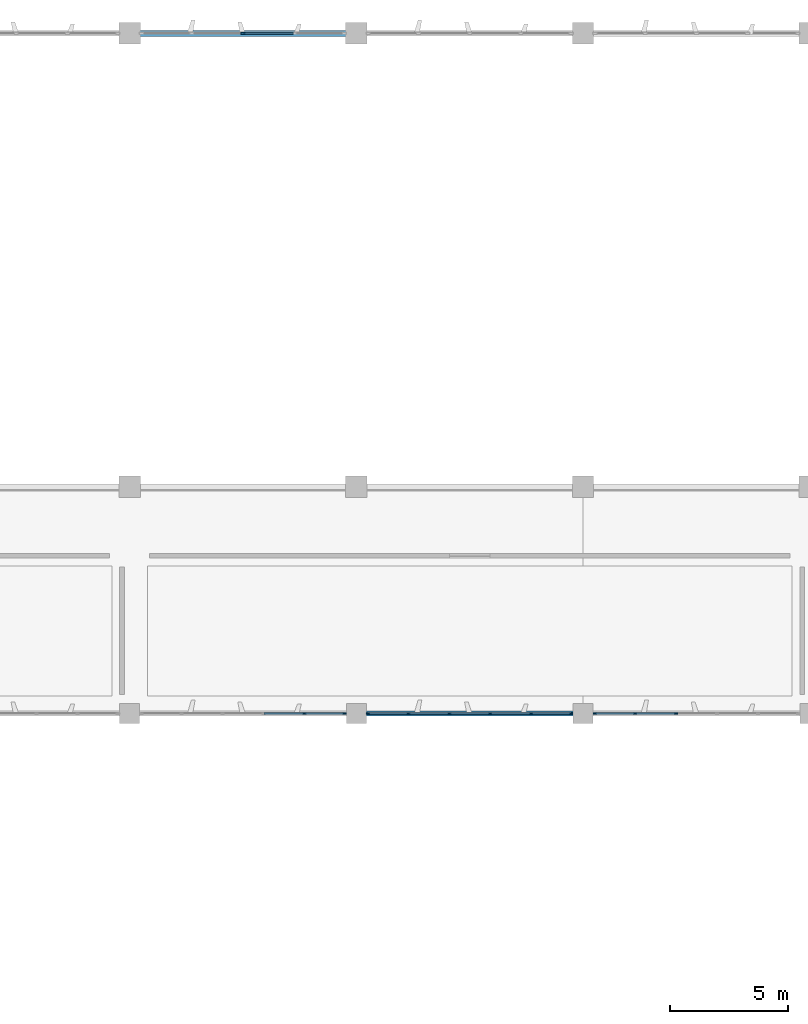
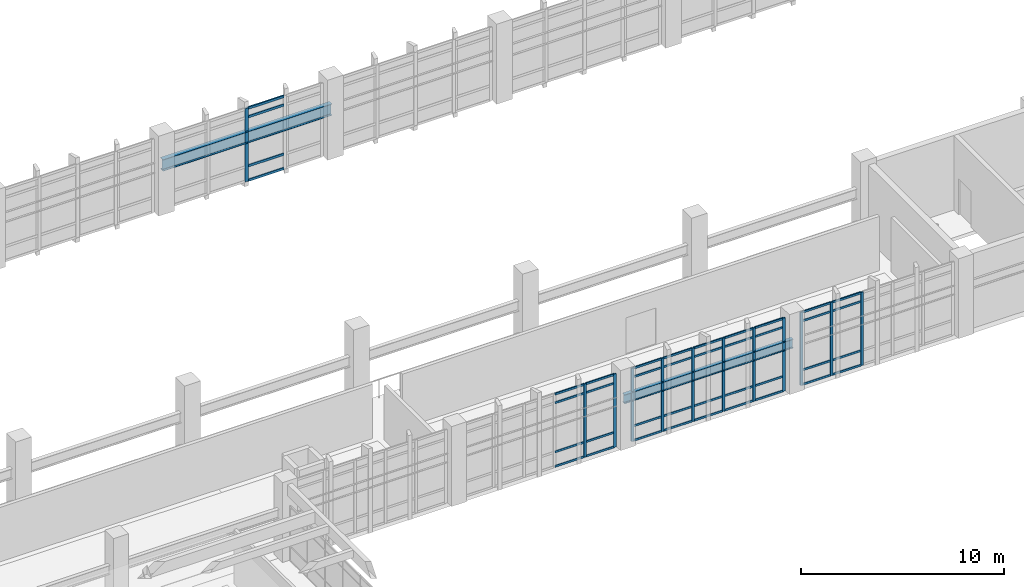
# One storey, part 27 of 86: 52 members, 2 beams, 4 elements without a shape of their own.
"""IFC4 building model written with IfcOpenShell, lengths in metres."""

from ifc_helpers import new_model, si_unit, direction, frame, origin, origin_2d, place, context, subcontext, project, spatial, rectangle, i_section, extrude, material, layer, layer_set, material_profile, profile_set, type_object, element, aggregate, save


model = new_model("IFC4")

# Units and contexts
model_context = context("Model", 3, precision=1e-05, world=origin(), true_north=direction((0.0, 1.0)))
body_context = subcontext(model_context, "Body", "Model", "MODEL_VIEW")
ifc_project = project(units=[si_unit("LENGTHUNIT", "METRE"), si_unit("AREAUNIT", "SQUARE_METRE"), si_unit("VOLUMEUNIT", "CUBIC_METRE"), si_unit("PLANEANGLEUNIT", "RADIAN"), si_unit("MASSUNIT", "GRAM", prefix="KILO")], contexts=[model_context])

# Site, building, storey
site_placement = place(None, origin())
site = spatial("IfcSite", under=ifc_project, at=site_placement, CompositionType="ELEMENT")
building_placement = place(site_placement, origin())
building = spatial("IfcBuilding", under=site, at=building_placement, Name="Kolvemor Railside Polytechnic", CompositionType="ELEMENT")
storey_placement = place(building_placement, frame((0.0, 0.0, 5.39990234375)))
storey = spatial("IfcBuildingStorey", under=building, at=storey_placement, Name="L01", CompositionType="ELEMENT", Elevation=5.39990234375)

# Beams
ifc_material_1 = material(Name="Steel S355", Category="steel")
ifc_material_profile_1 = material_profile(ifc_material_1, i_section(OverallWidth=0.256103515625, OverallDepth=0.693115234375, WebThickness=0.014404296875, FlangeThickness=0.023681640625, FilletRadius=0.01611328125, at=origin_2d()), Name="W690x170")
ifc_profile_set_1 = profile_set([ifc_material_profile_1], Name="Steel S355")
beam_type_1 = type_object("IfcBeamType", Name="BM-ST-CRANE0", PredefinedType="BEAM", material=ifc_profile_set_1)
beam_1_placement = place(storey_placement, frame((57.60009765625, 120.0, 2.691650390625), z_axis=(1.0, 0.0, 0.0), x_axis=(0.0, 1.0, 0.0)))
element("IfcBeam", 1, at=beam_1_placement, inside=storey, type_object=beam_type_1, Name="Crane Runway Girder CRG-N05", PredefinedType="BEAM", context=body_context, shape_type="SweptSolid", body=[
    extrude(i_section(OverallWidth=0.256103515625, OverallDepth=0.693115234375, WebThickness=0.014404296875, FlangeThickness=0.023681640625, FilletRadius=0.01611328125, at=origin_2d()), origin(), (0.0, 0.0, 1.0), 9.599853515625),
])
ifc_material_2 = material(Name="Steel S355", Category="steel")
ifc_material_profile_2 = material_profile(ifc_material_2, i_section(OverallWidth=0.2109375, OverallDepth=0.5390625, WebThickness=0.01171875, FlangeThickness=0.018798828125, FilletRadius=0.013916015625, at=origin_2d()), Name="W530x109")
ifc_profile_set_2 = profile_set([ifc_material_profile_2], Name="Steel S355")
beam_type_2 = type_object("IfcBeamType", Name="BM-ST-CRANE2", PredefinedType="BEAM", material=ifc_profile_set_2)
beam_2_placement = place(storey_placement, frame((67.199951171875, 91.199951171875, 2.730712890625), z_axis=(1.0, 0.0, 0.0), x_axis=(0.0, 1.0, 0.0)))
element("IfcBeam", 2, at=beam_2_placement, inside=storey, type_object=beam_type_2, Name="Workshop Header Steel Girder CRG-G06", PredefinedType="BEAM", context=body_context, shape_type="SweptSolid", body=[
    extrude(i_section(OverallWidth=0.2109375, OverallDepth=0.5390625, WebThickness=0.01171875, FlangeThickness=0.018798828125, FilletRadius=0.013916015625, at=origin_2d()), origin(), (0.0, 0.0, 1.0), 9.60009765625),
])

# Curtain wall, members
ifc_material_3 = material(Name="Anodised marine aluminium and laminated low-E glass", Category="aluminium")
ifc_layer = layer(ifc_material_3, 0.179931640625, Name="CW-UNIT-WKS")
ifc_layer_set = layer_set([ifc_layer], Name="Anodised marine aluminium and laminated low-E glass")
curtain_wall_type = type_object("IfcCurtainWallType", Name="CW-UNIT-WKS", PredefinedType="USERDEFINED", material=ifc_layer_set)
curtain_wall_1_placement = place(storey_placement, origin())
curtain_wall_1 = element("IfcCurtainWall", 3, at=curtain_wall_1_placement, inside=storey, type_object=curtain_wall_type, Name="Curtain Wall L01-009", ObjectType="UNITISED CURTAIN WALL", PredefinedType="USERDEFINED")
ifc_material_4 = material(Name="Anodised marine aluminium 6063-T6", Category="aluminium")
ifc_material_profile_3 = material_profile(ifc_material_4, rectangle(XDim=0.06494140625, YDim=0.14990234375, at=origin_2d()), Name="CW-MUL-65x150")
ifc_profile_set_3 = profile_set([ifc_material_profile_3], Name="Anodised marine aluminium 6063-T6")
member_type_1 = type_object("IfcMemberType", Name="CWM-65x150", PredefinedType="MULLION", material=ifc_profile_set_3)
member_1_placement = place(storey_placement, frame((64.998046875, 91.199951171875, 0.0), z_axis=(0.0, 0.0, 1.0), x_axis=(0.0, 1.0, 0.0)))
member_1 = element("IfcMember", 4, at=member_1_placement, type_object=member_type_1, Name="CW-WKS mullion 5", PredefinedType="MULLION", context=body_context, shape_type="SweptSolid", body=[
    extrude(rectangle(XDim=0.06494140625, YDim=0.14990234375, at=origin_2d()), origin(), (0.0, 0.0, 1.0), 4.400146484375),
])
member_2_placement = place(storey_placement, frame((66.697509765625, 91.199951171875, 0.0), z_axis=(0.0, 0.0, 1.0), x_axis=(0.0, 1.0, 0.0)))
member_2 = element("IfcMember", 5, at=member_2_placement, type_object=member_type_1, Name="CW-WKS mullion 6", PredefinedType="MULLION", context=body_context, shape_type="SweptSolid", body=[
    extrude(rectangle(XDim=0.06494140625, YDim=0.14990234375, at=origin_2d()), origin(), (0.0, 0.0, 1.0), 4.400146484375),
])

curtain_wall_2_placement = place(storey_placement, origin())
curtain_wall_2 = element("IfcCurtainWall", 6, at=curtain_wall_2_placement, inside=storey, type_object=curtain_wall_type, Name="Curtain Wall L01-011", ObjectType="UNITISED CURTAIN WALL", PredefinedType="USERDEFINED")
member_3_placement = place(storey_placement, frame((67.702392578125, 91.199951171875, 0.0), z_axis=(0.0, 0.0, 1.0), x_axis=(0.0, 1.0, 0.0)))
member_3 = element("IfcMember", 7, at=member_3_placement, type_object=member_type_1, Name="CW-WKS mullion 1", PredefinedType="MULLION", context=body_context, shape_type="SweptSolid", body=[
    extrude(rectangle(XDim=0.06494140625, YDim=0.14990234375, at=origin_2d()), origin(), (0.0, 0.0, 1.0), 4.400146484375),
])
member_4_placement = place(storey_placement, frame((69.402099609375, 91.199951171875, 0.0), z_axis=(0.0, 0.0, 1.0), x_axis=(0.0, 1.0, 0.0)))
member_4 = element("IfcMember", 8, at=member_4_placement, type_object=member_type_1, Name="CW-WKS mullion 2", PredefinedType="MULLION", context=body_context, shape_type="SweptSolid", body=[
    extrude(rectangle(XDim=0.06494140625, YDim=0.14990234375, at=origin_2d()), origin(), (0.0, 0.0, 1.0), 4.400146484375),
])
member_5_placement = place(storey_placement, frame((71.134033203125, 91.199951171875, 0.0), z_axis=(0.0, 0.0, 1.0), x_axis=(0.0, 1.0, 0.0)))
member_5 = element("IfcMember", 9, at=member_5_placement, type_object=member_type_1, Name="CW-WKS mullion 3", PredefinedType="MULLION", context=body_context, shape_type="SweptSolid", body=[
    extrude(rectangle(XDim=0.06494140625, YDim=0.14990234375, at=origin_2d()), origin(), (0.0, 0.0, 1.0), 4.400146484375),
])
member_6_placement = place(storey_placement, frame((72.865966796875, 91.199951171875, 0.0), z_axis=(0.0, 0.0, 1.0), x_axis=(0.0, 1.0, 0.0)))
member_6 = element("IfcMember", 10, at=member_6_placement, type_object=member_type_1, Name="CW-WKS mullion 4", PredefinedType="MULLION", context=body_context, shape_type="SweptSolid", body=[
    extrude(rectangle(XDim=0.06494140625, YDim=0.14990234375, at=origin_2d()), origin(), (0.0, 0.0, 1.0), 4.400146484375),
])
member_7_placement = place(storey_placement, frame((74.597900390625, 91.199951171875, 0.0), z_axis=(0.0, 0.0, 1.0), x_axis=(0.0, 1.0, 0.0)))
member_7 = element("IfcMember", 11, at=member_7_placement, type_object=member_type_1, Name="CW-WKS mullion 5", PredefinedType="MULLION", context=body_context, shape_type="SweptSolid", body=[
    extrude(rectangle(XDim=0.06494140625, YDim=0.14990234375, at=origin_2d()), origin(), (0.0, 0.0, 1.0), 4.400146484375),
])
member_8_placement = place(storey_placement, frame((76.297607421875, 91.199951171875, 0.0), z_axis=(0.0, 0.0, 1.0), x_axis=(0.0, 1.0, 0.0)))
member_8 = element("IfcMember", 12, at=member_8_placement, type_object=member_type_1, Name="CW-WKS mullion 6", PredefinedType="MULLION", context=body_context, shape_type="SweptSolid", body=[
    extrude(rectangle(XDim=0.06494140625, YDim=0.14990234375, at=origin_2d()), origin(), (0.0, 0.0, 1.0), 4.400146484375),
])

curtain_wall_3_placement = place(storey_placement, origin())
curtain_wall_3 = element("IfcCurtainWall", 13, at=curtain_wall_3_placement, inside=storey, type_object=curtain_wall_type, Name="Curtain Wall L01-014", ObjectType="UNITISED CURTAIN WALL", PredefinedType="USERDEFINED")
member_9_placement = place(storey_placement, frame((77.302490234375, 91.199951171875, 0.0), z_axis=(0.0, 0.0, 1.0), x_axis=(0.0, 1.0, 0.0)))
member_9 = element("IfcMember", 14, at=member_9_placement, type_object=member_type_1, Name="CW-WKS mullion 1", PredefinedType="MULLION", context=body_context, shape_type="SweptSolid", body=[
    extrude(rectangle(XDim=0.06494140625, YDim=0.14990234375, at=origin_2d()), origin(), (0.0, 0.0, 1.0), 4.400146484375),
])
member_10_placement = place(storey_placement, frame((79.001953125, 91.199951171875, 0.0), z_axis=(0.0, 0.0, 1.0), x_axis=(0.0, 1.0, 0.0)))
member_10 = element("IfcMember", 15, at=member_10_placement, type_object=member_type_1, Name="CW-WKS mullion 2", PredefinedType="MULLION", context=body_context, shape_type="SweptSolid", body=[
    extrude(rectangle(XDim=0.06494140625, YDim=0.14990234375, at=origin_2d()), origin(), (0.0, 0.0, 1.0), 4.400146484375),
])
member_11_placement = place(storey_placement, frame((80.73388671875, 91.199951171875, 0.0), z_axis=(0.0, 0.0, 1.0), x_axis=(0.0, 1.0, 0.0)))
member_11 = element("IfcMember", 16, at=member_11_placement, type_object=member_type_1, Name="CW-WKS mullion 3", PredefinedType="MULLION", context=body_context, shape_type="SweptSolid", body=[
    extrude(rectangle(XDim=0.06494140625, YDim=0.14990234375, at=origin_2d()), origin(), (0.0, 0.0, 1.0), 4.400146484375),
])

# Curtain wall, member
curtain_wall_4_placement = place(storey_placement, origin())
curtain_wall_4 = element("IfcCurtainWall", 17, at=curtain_wall_4_placement, inside=storey, type_object=curtain_wall_type, Name="Curtain Wall L01-008", ObjectType="UNITISED CURTAIN WALL", PredefinedType="USERDEFINED")
ifc_material_5 = material(Name="Anodised marine aluminium 6063-T6", Category="aluminium")
ifc_material_profile_4 = material_profile(ifc_material_5, rectangle(XDim=0.074951171875, YDim=0.179931640625, at=origin_2d()), Name="CW-MUL-75x180")
ifc_profile_set_4 = profile_set([ifc_material_profile_4], Name="Anodised marine aluminium 6063-T6")
member_type_2 = type_object("IfcMemberType", Name="CWM-75x180", PredefinedType="MULLION", material=ifc_profile_set_4)
member_12_placement = place(storey_placement, frame((62.39990234375, 120.0, 0.0), z_axis=(0.0, 0.0, 1.0), x_axis=(0.0, -1.0, 0.0)))
member_12 = element("IfcMember", 18, at=member_12_placement, type_object=member_type_2, Name="CW-WKS mullion 3", PredefinedType="MULLION", context=body_context, shape_type="SweptSolid", body=[
    extrude(rectangle(XDim=0.074951171875, YDim=0.179931640625, at=origin_2d()), origin(), (0.0, 0.0, 1.0), 4.400146484375),
])

# Member
ifc_material_6 = material(Name="Anodised marine aluminium 6063-T6", Category="aluminium")
ifc_material_profile_5 = material_profile(ifc_material_6, rectangle(XDim=0.06494140625, YDim=0.1201171875, at=origin_2d()), Name="CW-TRN-65x120")
ifc_profile_set_5 = profile_set([ifc_material_profile_5], Name="Anodised marine aluminium 6063-T6")
member_type_3 = type_object("IfcMemberType", Name="CWT-65x120", PredefinedType="USERDEFINED", material=ifc_profile_set_5)
member_13_placement = place(storey_placement, frame((63.298583984375, 91.199951171875, 0.03271484375), z_axis=(1.0, 0.0, 0.0), x_axis=(0.0, 1.0, 0.0)))
member_13 = element("IfcMember", 19, at=member_13_placement, type_object=member_type_3, Name="CW-WKS transom 4.1", ObjectType="TRANSOM", PredefinedType="USERDEFINED", context=body_context, shape_type="SweptSolid", body=[
    extrude(rectangle(XDim=0.06494140625, YDim=0.1201171875, at=origin_2d()), origin(), (0.0, 0.0, 1.0), 1.6669921875),
])

member_14_placement = place(storey_placement, frame((63.298583984375, 91.199951171875, 0.900146484375), z_axis=(1.0, 0.0, 0.0), x_axis=(0.0, 1.0, 0.0)))
member_14 = element("IfcMember", 20, at=member_14_placement, type_object=member_type_3, Name="CW-WKS transom 4.2", ObjectType="TRANSOM", PredefinedType="USERDEFINED", context=body_context, shape_type="SweptSolid", body=[
    extrude(rectangle(XDim=0.06494140625, YDim=0.1201171875, at=origin_2d()), origin(), (0.0, 0.0, 1.0), 1.6669921875),
])

member_15_placement = place(storey_placement, frame((63.298583984375, 91.199951171875, 3.85009765625), z_axis=(1.0, 0.0, 0.0), x_axis=(0.0, 1.0, 0.0)))
member_15 = element("IfcMember", 21, at=member_15_placement, type_object=member_type_3, Name="CW-WKS transom 4.3", ObjectType="TRANSOM", PredefinedType="USERDEFINED", context=body_context, shape_type="SweptSolid", body=[
    extrude(rectangle(XDim=0.06494140625, YDim=0.1201171875, at=origin_2d()), origin(), (0.0, 0.0, 1.0), 1.6669921875),
])

member_16_placement = place(storey_placement, frame((63.298583984375, 91.199951171875, 4.36767578125), z_axis=(1.0, 0.0, 0.0), x_axis=(0.0, 1.0, 0.0)))
member_16 = element("IfcMember", 22, at=member_16_placement, type_object=member_type_3, Name="CW-WKS transom 4.4", ObjectType="TRANSOM", PredefinedType="USERDEFINED", context=body_context, shape_type="SweptSolid", body=[
    extrude(rectangle(XDim=0.06494140625, YDim=0.1201171875, at=origin_2d()), origin(), (0.0, 0.0, 1.0), 1.6669921875),
])

member_17_placement = place(storey_placement, frame((65.030517578125, 91.199951171875, 0.03271484375), z_axis=(1.0, 0.0, 0.0), x_axis=(0.0, 1.0, 0.0)))
member_17 = element("IfcMember", 23, at=member_17_placement, type_object=member_type_3, Name="CW-WKS transom 5.1", ObjectType="TRANSOM", PredefinedType="USERDEFINED", context=body_context, shape_type="SweptSolid", body=[
    extrude(rectangle(XDim=0.06494140625, YDim=0.1201171875, at=origin_2d()), origin(), (0.0, 0.0, 1.0), 1.634521484375),
])

member_18_placement = place(storey_placement, frame((65.030517578125, 91.199951171875, 0.900146484375), z_axis=(1.0, 0.0, 0.0), x_axis=(0.0, 1.0, 0.0)))
member_18 = element("IfcMember", 24, at=member_18_placement, type_object=member_type_3, Name="CW-WKS transom 5.2", ObjectType="TRANSOM", PredefinedType="USERDEFINED", context=body_context, shape_type="SweptSolid", body=[
    extrude(rectangle(XDim=0.06494140625, YDim=0.1201171875, at=origin_2d()), origin(), (0.0, 0.0, 1.0), 1.634521484375),
])

member_19_placement = place(storey_placement, frame((65.030517578125, 91.199951171875, 3.85009765625), z_axis=(1.0, 0.0, 0.0), x_axis=(0.0, 1.0, 0.0)))
member_19 = element("IfcMember", 25, at=member_19_placement, type_object=member_type_3, Name="CW-WKS transom 5.3", ObjectType="TRANSOM", PredefinedType="USERDEFINED", context=body_context, shape_type="SweptSolid", body=[
    extrude(rectangle(XDim=0.06494140625, YDim=0.1201171875, at=origin_2d()), origin(), (0.0, 0.0, 1.0), 1.634521484375),
])

member_20_placement = place(storey_placement, frame((65.030517578125, 91.199951171875, 4.36767578125), z_axis=(1.0, 0.0, 0.0), x_axis=(0.0, 1.0, 0.0)))
member_20 = element("IfcMember", 26, at=member_20_placement, type_object=member_type_3, Name="CW-WKS transom 5.4", ObjectType="TRANSOM", PredefinedType="USERDEFINED", context=body_context, shape_type="SweptSolid", body=[
    extrude(rectangle(XDim=0.06494140625, YDim=0.1201171875, at=origin_2d()), origin(), (0.0, 0.0, 1.0), 1.634521484375),
])

aggregate(curtain_wall_1, [member_1, member_2, member_13, member_14, member_15, member_16, member_17, member_18, member_19, member_20])

member_21_placement = place(storey_placement, frame((67.735107421875, 91.199951171875, 0.03271484375), z_axis=(1.0, 0.0, 0.0), x_axis=(0.0, 1.0, 0.0)))
member_21 = element("IfcMember", 27, at=member_21_placement, type_object=member_type_3, Name="CW-WKS transom 1.1", ObjectType="TRANSOM", PredefinedType="USERDEFINED", context=body_context, shape_type="SweptSolid", body=[
    extrude(rectangle(XDim=0.06494140625, YDim=0.1201171875, at=origin_2d()), origin(), (0.0, 0.0, 1.0), 1.63427734375),
])

member_22_placement = place(storey_placement, frame((67.735107421875, 91.199951171875, 0.900146484375), z_axis=(1.0, 0.0, 0.0), x_axis=(0.0, 1.0, 0.0)))
member_22 = element("IfcMember", 28, at=member_22_placement, type_object=member_type_3, Name="CW-WKS transom 1.2", ObjectType="TRANSOM", PredefinedType="USERDEFINED", context=body_context, shape_type="SweptSolid", body=[
    extrude(rectangle(XDim=0.06494140625, YDim=0.1201171875, at=origin_2d()), origin(), (0.0, 0.0, 1.0), 1.63427734375),
])

member_23_placement = place(storey_placement, frame((67.735107421875, 91.199951171875, 3.85009765625), z_axis=(1.0, 0.0, 0.0), x_axis=(0.0, 1.0, 0.0)))
member_23 = element("IfcMember", 29, at=member_23_placement, type_object=member_type_3, Name="CW-WKS transom 1.3", ObjectType="TRANSOM", PredefinedType="USERDEFINED", context=body_context, shape_type="SweptSolid", body=[
    extrude(rectangle(XDim=0.06494140625, YDim=0.1201171875, at=origin_2d()), origin(), (0.0, 0.0, 1.0), 1.63427734375),
])

member_24_placement = place(storey_placement, frame((67.735107421875, 91.199951171875, 4.36767578125), z_axis=(1.0, 0.0, 0.0), x_axis=(0.0, 1.0, 0.0)))
member_24 = element("IfcMember", 30, at=member_24_placement, type_object=member_type_3, Name="CW-WKS transom 1.4", ObjectType="TRANSOM", PredefinedType="USERDEFINED", context=body_context, shape_type="SweptSolid", body=[
    extrude(rectangle(XDim=0.06494140625, YDim=0.1201171875, at=origin_2d()), origin(), (0.0, 0.0, 1.0), 1.63427734375),
])

member_25_placement = place(storey_placement, frame((69.4345703125, 91.199951171875, 0.03271484375), z_axis=(1.0, 0.0, 0.0), x_axis=(0.0, 1.0, 0.0)))
member_25 = element("IfcMember", 31, at=member_25_placement, type_object=member_type_3, Name="CW-WKS transom 2.1", ObjectType="TRANSOM", PredefinedType="USERDEFINED", context=body_context, shape_type="SweptSolid", body=[
    extrude(rectangle(XDim=0.06494140625, YDim=0.1201171875, at=origin_2d()), origin(), (0.0, 0.0, 1.0), 1.6669921875),
])

member_26_placement = place(storey_placement, frame((69.4345703125, 91.199951171875, 0.900146484375), z_axis=(1.0, 0.0, 0.0), x_axis=(0.0, 1.0, 0.0)))
member_26 = element("IfcMember", 32, at=member_26_placement, type_object=member_type_3, Name="CW-WKS transom 2.2", ObjectType="TRANSOM", PredefinedType="USERDEFINED", context=body_context, shape_type="SweptSolid", body=[
    extrude(rectangle(XDim=0.06494140625, YDim=0.1201171875, at=origin_2d()), origin(), (0.0, 0.0, 1.0), 1.6669921875),
])

member_27_placement = place(storey_placement, frame((69.4345703125, 91.199951171875, 3.85009765625), z_axis=(1.0, 0.0, 0.0), x_axis=(0.0, 1.0, 0.0)))
member_27 = element("IfcMember", 33, at=member_27_placement, type_object=member_type_3, Name="CW-WKS transom 2.3", ObjectType="TRANSOM", PredefinedType="USERDEFINED", context=body_context, shape_type="SweptSolid", body=[
    extrude(rectangle(XDim=0.06494140625, YDim=0.1201171875, at=origin_2d()), origin(), (0.0, 0.0, 1.0), 1.6669921875),
])

member_28_placement = place(storey_placement, frame((69.4345703125, 91.199951171875, 4.36767578125), z_axis=(1.0, 0.0, 0.0), x_axis=(0.0, 1.0, 0.0)))
member_28 = element("IfcMember", 34, at=member_28_placement, type_object=member_type_3, Name="CW-WKS transom 2.4", ObjectType="TRANSOM", PredefinedType="USERDEFINED", context=body_context, shape_type="SweptSolid", body=[
    extrude(rectangle(XDim=0.06494140625, YDim=0.1201171875, at=origin_2d()), origin(), (0.0, 0.0, 1.0), 1.6669921875),
])

member_29_placement = place(storey_placement, frame((71.16650390625, 91.199951171875, 0.03271484375), z_axis=(1.0, 0.0, 0.0), x_axis=(0.0, 1.0, 0.0)))
member_29 = element("IfcMember", 35, at=member_29_placement, type_object=member_type_3, Name="CW-WKS transom 3.1", ObjectType="TRANSOM", PredefinedType="USERDEFINED", context=body_context, shape_type="SweptSolid", body=[
    extrude(rectangle(XDim=0.06494140625, YDim=0.1201171875, at=origin_2d()), origin(), (0.0, 0.0, 1.0), 1.6669921875),
])

member_30_placement = place(storey_placement, frame((71.16650390625, 91.199951171875, 0.900146484375), z_axis=(1.0, 0.0, 0.0), x_axis=(0.0, 1.0, 0.0)))
member_30 = element("IfcMember", 36, at=member_30_placement, type_object=member_type_3, Name="CW-WKS transom 3.2", ObjectType="TRANSOM", PredefinedType="USERDEFINED", context=body_context, shape_type="SweptSolid", body=[
    extrude(rectangle(XDim=0.06494140625, YDim=0.1201171875, at=origin_2d()), origin(), (0.0, 0.0, 1.0), 1.6669921875),
])

member_31_placement = place(storey_placement, frame((71.16650390625, 91.199951171875, 3.85009765625), z_axis=(1.0, 0.0, 0.0), x_axis=(0.0, 1.0, 0.0)))
member_31 = element("IfcMember", 37, at=member_31_placement, type_object=member_type_3, Name="CW-WKS transom 3.3", ObjectType="TRANSOM", PredefinedType="USERDEFINED", context=body_context, shape_type="SweptSolid", body=[
    extrude(rectangle(XDim=0.06494140625, YDim=0.1201171875, at=origin_2d()), origin(), (0.0, 0.0, 1.0), 1.6669921875),
])

member_32_placement = place(storey_placement, frame((71.16650390625, 91.199951171875, 4.36767578125), z_axis=(1.0, 0.0, 0.0), x_axis=(0.0, 1.0, 0.0)))
member_32 = element("IfcMember", 38, at=member_32_placement, type_object=member_type_3, Name="CW-WKS transom 3.4", ObjectType="TRANSOM", PredefinedType="USERDEFINED", context=body_context, shape_type="SweptSolid", body=[
    extrude(rectangle(XDim=0.06494140625, YDim=0.1201171875, at=origin_2d()), origin(), (0.0, 0.0, 1.0), 1.6669921875),
])

member_33_placement = place(storey_placement, frame((72.8984375, 91.199951171875, 0.03271484375), z_axis=(1.0, 0.0, 0.0), x_axis=(0.0, 1.0, 0.0)))
member_33 = element("IfcMember", 39, at=member_33_placement, type_object=member_type_3, Name="CW-WKS transom 4.1", ObjectType="TRANSOM", PredefinedType="USERDEFINED", context=body_context, shape_type="SweptSolid", body=[
    extrude(rectangle(XDim=0.06494140625, YDim=0.1201171875, at=origin_2d()), origin(), (0.0, 0.0, 1.0), 1.6669921875),
])

member_34_placement = place(storey_placement, frame((72.8984375, 91.199951171875, 0.900146484375), z_axis=(1.0, 0.0, 0.0), x_axis=(0.0, 1.0, 0.0)))
member_34 = element("IfcMember", 40, at=member_34_placement, type_object=member_type_3, Name="CW-WKS transom 4.2", ObjectType="TRANSOM", PredefinedType="USERDEFINED", context=body_context, shape_type="SweptSolid", body=[
    extrude(rectangle(XDim=0.06494140625, YDim=0.1201171875, at=origin_2d()), origin(), (0.0, 0.0, 1.0), 1.6669921875),
])

member_35_placement = place(storey_placement, frame((72.8984375, 91.199951171875, 3.85009765625), z_axis=(1.0, 0.0, 0.0), x_axis=(0.0, 1.0, 0.0)))
member_35 = element("IfcMember", 41, at=member_35_placement, type_object=member_type_3, Name="CW-WKS transom 4.3", ObjectType="TRANSOM", PredefinedType="USERDEFINED", context=body_context, shape_type="SweptSolid", body=[
    extrude(rectangle(XDim=0.06494140625, YDim=0.1201171875, at=origin_2d()), origin(), (0.0, 0.0, 1.0), 1.6669921875),
])

member_36_placement = place(storey_placement, frame((72.8984375, 91.199951171875, 4.36767578125), z_axis=(1.0, 0.0, 0.0), x_axis=(0.0, 1.0, 0.0)))
member_36 = element("IfcMember", 42, at=member_36_placement, type_object=member_type_3, Name="CW-WKS transom 4.4", ObjectType="TRANSOM", PredefinedType="USERDEFINED", context=body_context, shape_type="SweptSolid", body=[
    extrude(rectangle(XDim=0.06494140625, YDim=0.1201171875, at=origin_2d()), origin(), (0.0, 0.0, 1.0), 1.6669921875),
])

member_37_placement = place(storey_placement, frame((74.630615234375, 91.199951171875, 0.03271484375), z_axis=(1.0, 0.0, 0.0), x_axis=(0.0, 1.0, 0.0)))
member_37 = element("IfcMember", 43, at=member_37_placement, type_object=member_type_3, Name="CW-WKS transom 5.1", ObjectType="TRANSOM", PredefinedType="USERDEFINED", context=body_context, shape_type="SweptSolid", body=[
    extrude(rectangle(XDim=0.06494140625, YDim=0.1201171875, at=origin_2d()), origin(), (0.0, 0.0, 1.0), 1.63427734375),
])

member_38_placement = place(storey_placement, frame((74.630615234375, 91.199951171875, 0.900146484375), z_axis=(1.0, 0.0, 0.0), x_axis=(0.0, 1.0, 0.0)))
member_38 = element("IfcMember", 44, at=member_38_placement, type_object=member_type_3, Name="CW-WKS transom 5.2", ObjectType="TRANSOM", PredefinedType="USERDEFINED", context=body_context, shape_type="SweptSolid", body=[
    extrude(rectangle(XDim=0.06494140625, YDim=0.1201171875, at=origin_2d()), origin(), (0.0, 0.0, 1.0), 1.63427734375),
])

member_39_placement = place(storey_placement, frame((74.630615234375, 91.199951171875, 3.85009765625), z_axis=(1.0, 0.0, 0.0), x_axis=(0.0, 1.0, 0.0)))
member_39 = element("IfcMember", 45, at=member_39_placement, type_object=member_type_3, Name="CW-WKS transom 5.3", ObjectType="TRANSOM", PredefinedType="USERDEFINED", context=body_context, shape_type="SweptSolid", body=[
    extrude(rectangle(XDim=0.06494140625, YDim=0.1201171875, at=origin_2d()), origin(), (0.0, 0.0, 1.0), 1.63427734375),
])

member_40_placement = place(storey_placement, frame((74.630615234375, 91.199951171875, 4.36767578125), z_axis=(1.0, 0.0, 0.0), x_axis=(0.0, 1.0, 0.0)))
member_40 = element("IfcMember", 46, at=member_40_placement, type_object=member_type_3, Name="CW-WKS transom 5.4", ObjectType="TRANSOM", PredefinedType="USERDEFINED", context=body_context, shape_type="SweptSolid", body=[
    extrude(rectangle(XDim=0.06494140625, YDim=0.1201171875, at=origin_2d()), origin(), (0.0, 0.0, 1.0), 1.63427734375),
])

aggregate(curtain_wall_2, [member_3, member_4, member_5, member_6, member_7, member_8, member_21, member_22, member_23, member_24, member_25, member_26, member_27, member_28, member_29, member_30, member_31, member_32, member_33, member_34, member_35, member_36, member_37, member_38, member_39, member_40])

member_41_placement = place(storey_placement, frame((77.3349609375, 91.199951171875, 0.03271484375), z_axis=(1.0, 0.0, 0.0), x_axis=(0.0, 1.0, 0.0)))
member_41 = element("IfcMember", 47, at=member_41_placement, type_object=member_type_3, Name="CW-WKS transom 1.1", ObjectType="TRANSOM", PredefinedType="USERDEFINED", context=body_context, shape_type="SweptSolid", body=[
    extrude(rectangle(XDim=0.06494140625, YDim=0.1201171875, at=origin_2d()), origin(), (0.0, 0.0, 1.0), 1.634521484375),
])

member_42_placement = place(storey_placement, frame((77.3349609375, 91.199951171875, 0.900146484375), z_axis=(1.0, 0.0, 0.0), x_axis=(0.0, 1.0, 0.0)))
member_42 = element("IfcMember", 48, at=member_42_placement, type_object=member_type_3, Name="CW-WKS transom 1.2", ObjectType="TRANSOM", PredefinedType="USERDEFINED", context=body_context, shape_type="SweptSolid", body=[
    extrude(rectangle(XDim=0.06494140625, YDim=0.1201171875, at=origin_2d()), origin(), (0.0, 0.0, 1.0), 1.634521484375),
])

member_43_placement = place(storey_placement, frame((77.3349609375, 91.199951171875, 3.85009765625), z_axis=(1.0, 0.0, 0.0), x_axis=(0.0, 1.0, 0.0)))
member_43 = element("IfcMember", 49, at=member_43_placement, type_object=member_type_3, Name="CW-WKS transom 1.3", ObjectType="TRANSOM", PredefinedType="USERDEFINED", context=body_context, shape_type="SweptSolid", body=[
    extrude(rectangle(XDim=0.06494140625, YDim=0.1201171875, at=origin_2d()), origin(), (0.0, 0.0, 1.0), 1.634521484375),
])

member_44_placement = place(storey_placement, frame((77.3349609375, 91.199951171875, 4.36767578125), z_axis=(1.0, 0.0, 0.0), x_axis=(0.0, 1.0, 0.0)))
member_44 = element("IfcMember", 50, at=member_44_placement, type_object=member_type_3, Name="CW-WKS transom 1.4", ObjectType="TRANSOM", PredefinedType="USERDEFINED", context=body_context, shape_type="SweptSolid", body=[
    extrude(rectangle(XDim=0.06494140625, YDim=0.1201171875, at=origin_2d()), origin(), (0.0, 0.0, 1.0), 1.634521484375),
])

member_45_placement = place(storey_placement, frame((79.034423828125, 91.199951171875, 0.03271484375), z_axis=(1.0, 0.0, 0.0), x_axis=(0.0, 1.0, 0.0)))
member_45 = element("IfcMember", 51, at=member_45_placement, type_object=member_type_3, Name="CW-WKS transom 2.1", ObjectType="TRANSOM", PredefinedType="USERDEFINED", context=body_context, shape_type="SweptSolid", body=[
    extrude(rectangle(XDim=0.06494140625, YDim=0.1201171875, at=origin_2d()), origin(), (0.0, 0.0, 1.0), 1.6669921875),
])

member_46_placement = place(storey_placement, frame((79.034423828125, 91.199951171875, 0.900146484375), z_axis=(1.0, 0.0, 0.0), x_axis=(0.0, 1.0, 0.0)))
member_46 = element("IfcMember", 52, at=member_46_placement, type_object=member_type_3, Name="CW-WKS transom 2.2", ObjectType="TRANSOM", PredefinedType="USERDEFINED", context=body_context, shape_type="SweptSolid", body=[
    extrude(rectangle(XDim=0.06494140625, YDim=0.1201171875, at=origin_2d()), origin(), (0.0, 0.0, 1.0), 1.6669921875),
])

member_47_placement = place(storey_placement, frame((79.034423828125, 91.199951171875, 3.85009765625), z_axis=(1.0, 0.0, 0.0), x_axis=(0.0, 1.0, 0.0)))
member_47 = element("IfcMember", 53, at=member_47_placement, type_object=member_type_3, Name="CW-WKS transom 2.3", ObjectType="TRANSOM", PredefinedType="USERDEFINED", context=body_context, shape_type="SweptSolid", body=[
    extrude(rectangle(XDim=0.06494140625, YDim=0.1201171875, at=origin_2d()), origin(), (0.0, 0.0, 1.0), 1.6669921875),
])

member_48_placement = place(storey_placement, frame((79.034423828125, 91.199951171875, 4.36767578125), z_axis=(1.0, 0.0, 0.0), x_axis=(0.0, 1.0, 0.0)))
member_48 = element("IfcMember", 54, at=member_48_placement, type_object=member_type_3, Name="CW-WKS transom 2.4", ObjectType="TRANSOM", PredefinedType="USERDEFINED", context=body_context, shape_type="SweptSolid", body=[
    extrude(rectangle(XDim=0.06494140625, YDim=0.1201171875, at=origin_2d()), origin(), (0.0, 0.0, 1.0), 1.6669921875),
])

aggregate(curtain_wall_3, [member_9, member_10, member_11, member_41, member_42, member_43, member_44, member_45, member_46, member_47, member_48])

ifc_material_7 = material(Name="Anodised marine aluminium 6063-T6", Category="aluminium")
ifc_material_profile_6 = material_profile(ifc_material_7, rectangle(XDim=0.074951171875, YDim=0.139892578125, at=origin_2d()), Name="CW-TRN-75x140")
ifc_profile_set_6 = profile_set([ifc_material_profile_6], Name="Anodised marine aluminium 6063-T6")
member_type_4 = type_object("IfcMemberType", Name="CWT-75x140", PredefinedType="USERDEFINED", material=ifc_profile_set_6)
member_49_placement = place(storey_placement, frame((64.527587890625, 120.0, 0.03759765625), z_axis=(-1.0, 0.0, 0.0), x_axis=(0.0, -1.0, 0.0)))
member_49 = element("IfcMember", 55, at=member_49_placement, type_object=member_type_4, Name="CW-WKS transom 2.1", ObjectType="TRANSOM", PredefinedType="USERDEFINED", context=body_context, shape_type="SweptSolid", body=[
    extrude(rectangle(XDim=0.074951171875, YDim=0.139892578125, at=origin_2d()), origin(), (0.0, 0.0, 1.0), 2.090087890625),
])

member_50_placement = place(storey_placement, frame((64.527587890625, 120.0, 0.900146484375), z_axis=(-1.0, 0.0, 0.0), x_axis=(0.0, -1.0, 0.0)))
member_50 = element("IfcMember", 56, at=member_50_placement, type_object=member_type_4, Name="CW-WKS transom 2.2", ObjectType="TRANSOM", PredefinedType="USERDEFINED", context=body_context, shape_type="SweptSolid", body=[
    extrude(rectangle(XDim=0.074951171875, YDim=0.139892578125, at=origin_2d()), origin(), (0.0, 0.0, 1.0), 2.090087890625),
])

member_51_placement = place(storey_placement, frame((64.527587890625, 120.0, 3.85009765625), z_axis=(-1.0, 0.0, 0.0), x_axis=(0.0, -1.0, 0.0)))
member_51 = element("IfcMember", 57, at=member_51_placement, type_object=member_type_4, Name="CW-WKS transom 2.3", ObjectType="TRANSOM", PredefinedType="USERDEFINED", context=body_context, shape_type="SweptSolid", body=[
    extrude(rectangle(XDim=0.074951171875, YDim=0.139892578125, at=origin_2d()), origin(), (0.0, 0.0, 1.0), 2.090087890625),
])

member_52_placement = place(storey_placement, frame((64.527587890625, 120.0, 4.362548828125), z_axis=(-1.0, 0.0, 0.0), x_axis=(0.0, -1.0, 0.0)))
member_52 = element("IfcMember", 58, at=member_52_placement, type_object=member_type_4, Name="CW-WKS transom 2.4", ObjectType="TRANSOM", PredefinedType="USERDEFINED", context=body_context, shape_type="SweptSolid", body=[
    extrude(rectangle(XDim=0.074951171875, YDim=0.139892578125, at=origin_2d()), origin(), (0.0, 0.0, 1.0), 2.090087890625),
])

aggregate(curtain_wall_4, [member_12, member_49, member_50, member_51, member_52])

save(model, "model.ifc")
